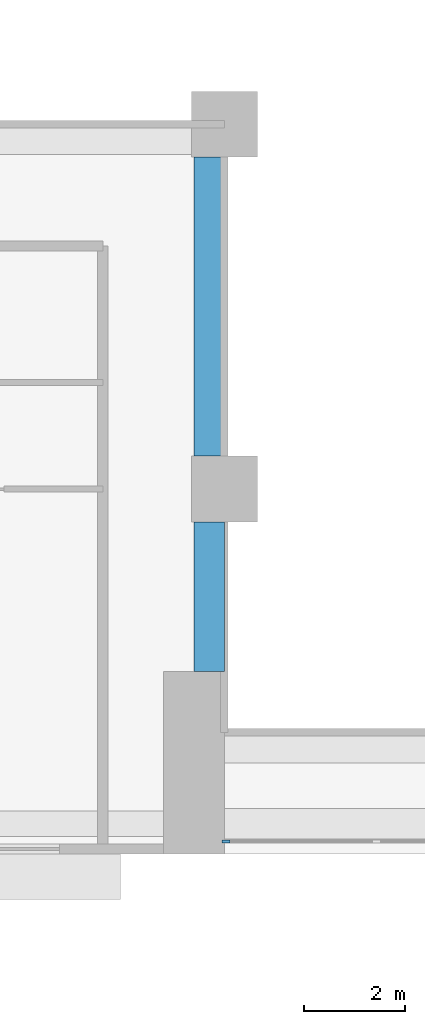
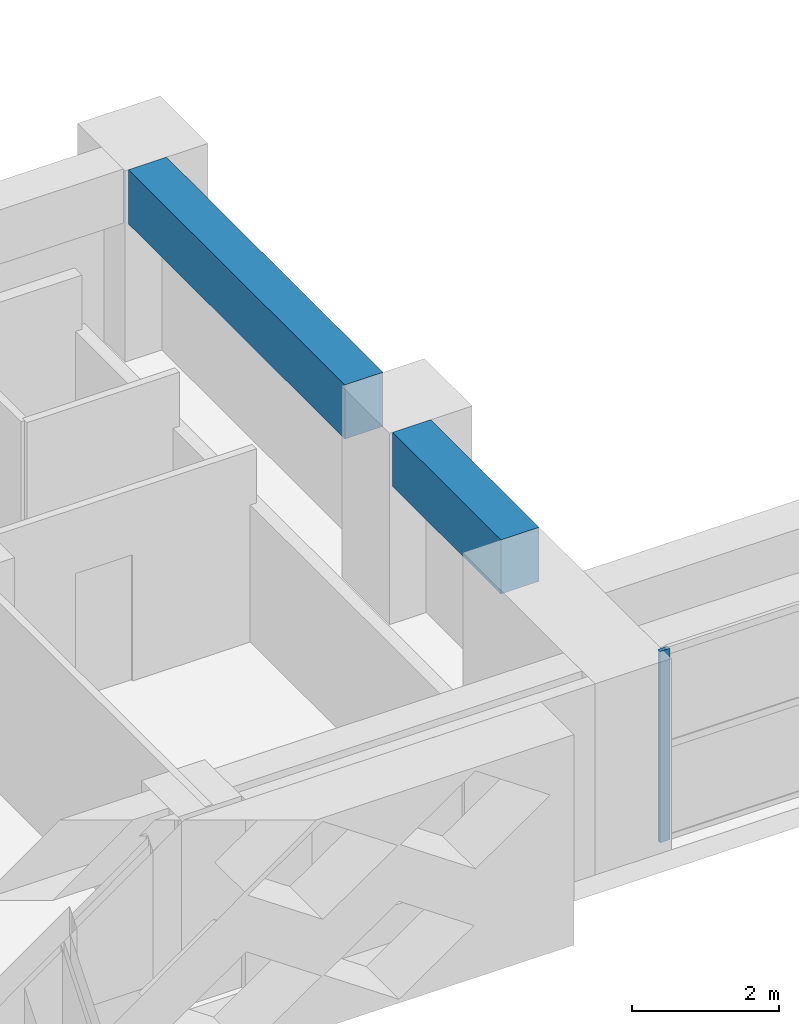
# One storey, part 2 of 17: 2 beams, 1 member, 1 element without a shape of its own.
"""IFC4 building model written with IfcOpenShell, lengths in metres."""

from ifc_helpers import new_model, si_unit, direction, frame, origin, origin_2d, place, context, subcontext, project, spatial, rectangle, extrude, source, transform, mapped, material, layer, layer_set, material_profile, profile_set, type_object, element, aggregate, save


model = new_model("IFC4")

# Units and contexts
model_context = context("Model", 3, precision=1e-05, world=origin(), true_north=direction((0.0, 1.0)))
body_context = subcontext(model_context, "Body", "Model", "MODEL_VIEW")
ifc_project = project(units=[si_unit("LENGTHUNIT", "METRE"), si_unit("AREAUNIT", "SQUARE_METRE"), si_unit("VOLUMEUNIT", "CUBIC_METRE"), si_unit("PLANEANGLEUNIT", "RADIAN"), si_unit("MASSUNIT", "GRAM", prefix="KILO")], contexts=[model_context])

# Site, building, storey
site_placement = place(None, origin())
site = spatial("IfcSite", under=ifc_project, at=site_placement, CompositionType="ELEMENT")
building_placement = place(site_placement, origin())
building = spatial("IfcBuilding", under=site, at=building_placement, Name="Saffron Iwan Residences", CompositionType="ELEMENT")
storey_placement = place(building_placement, frame((0.0, 0.0, 86.5)))
storey = spatial("IfcBuildingStorey", under=building, at=storey_placement, Name="L22", CompositionType="ELEMENT", Elevation=86.5)

# Beams
ifc_material_1 = material(Name="Concrete C60/75", Category="concrete")
ifc_material_profile_1 = material_profile(ifc_material_1, rectangle(XDim=0.60009765625, YDim=0.89990234375, at=origin_2d()), Name="RC 600x900")
ifc_profile_set_1 = profile_set([ifc_material_profile_1], Name="Concrete C60/75")
beam_type = type_object("IfcBeamType", Name="BEAM RC 600x900 C60/75 TOP 3180", PredefinedType="BEAM", material=ifc_profile_set_1)
shared_shape_1 = source(origin(), body_context, "Body", "SweptSolid", [
    extrude(rectangle(XDim=0.60009765625, YDim=0.89990234375, at=origin_2d()), origin(), (0.0, 0.0, 1.0), 2.949951171875),
])
beam_1_placement = place(storey_placement, frame((42.89990234375, 37.199951171875, 2.72998046875), z_axis=(0.0, 1.0, 0.0), x_axis=(-1.0, 0.0, 0.0)))
element("IfcBeam", 1, at=beam_1_placement, inside=storey, type_object=beam_type, Name="Atrium edge beam", PredefinedType="BEAM", context=body_context, shape_type="MappedRepresentation", body=[
    mapped(shared_shape_1, transform((0.0, 0.0, 0.0))),
])
shared_shape_2 = source(origin(), body_context, "Body", "SweptSolid", [
    extrude(rectangle(XDim=0.60009765625, YDim=0.89990234375, at=origin_2d()), origin(), (0.0, 0.0, 1.0), 5.900146484375),
])
beam_2_placement = place(storey_placement, frame((42.89990234375, 41.449951171875, 2.72998046875), z_axis=(0.0, 1.0, 0.0), x_axis=(-1.0, 0.0, 0.0)))
element("IfcBeam", 2, at=beam_2_placement, inside=storey, type_object=beam_type, Name="Atrium edge beam", PredefinedType="BEAM", context=body_context, shape_type="MappedRepresentation", body=[
    mapped(shared_shape_2, transform((0.0, 0.0, 0.0))),
])

# Curtain wall, member
ifc_material_2 = material(Name="Clear glass, laminated double glazed", Category="glass")
ifc_layer = layer(ifc_material_2, 0.199951171875)
ifc_layer_set = layer_set([ifc_layer], Name="Clear glass, laminated double glazed")
curtain_wall_type = type_object("IfcCurtainWallType", Name="CW-B IWAN PORTAL", PredefinedType="NOTDEFINED", material=ifc_layer_set)
curtain_wall_placement = place(storey_placement, origin())
curtain_wall = element("IfcCurtainWall", 3, at=curtain_wall_placement, inside=storey, type_object=curtain_wall_type, Name="Iwan portal glazing L22.1", PredefinedType="NOTDEFINED")
ifc_material_3 = material(Name="Aluminium 6063-T6", Category="aluminium")
ifc_material_profile_2 = material_profile(ifc_material_3, rectangle(XDim=0.06005859375, YDim=0.159912109375, at=origin_2d()), Name="CW-B MULLION 60 x 160")
ifc_profile_set_2 = profile_set([ifc_material_profile_2], Name="Aluminium 6063-T6")
member_type = type_object("IfcMemberType", Name="CW-B MULLION 60 x 160", PredefinedType="MULLION", material=ifc_profile_set_2)
shared_shape_3 = source(origin(), body_context, "Body", "SweptSolid", [
    extrude(rectangle(XDim=0.06005859375, YDim=0.159912109375, at=origin_2d()), origin(), (0.0, 0.0, 1.0), 3.179931640625),
])
member_placement = place(storey_placement, frame((43.22998046875, 33.85009765625, 0.0), z_axis=(0.0, 0.0, 1.0), x_axis=(0.0, 1.0, 0.0)))
member = element("IfcMember", 4, at=member_placement, type_object=member_type, Name="CW-B mullion 1", PredefinedType="MULLION", context=body_context, shape_type="MappedRepresentation", body=[
    mapped(shared_shape_3, transform((0.0, 0.0, 0.0))),
])
aggregate(curtain_wall, [member])

save(model, "model.ifc")
